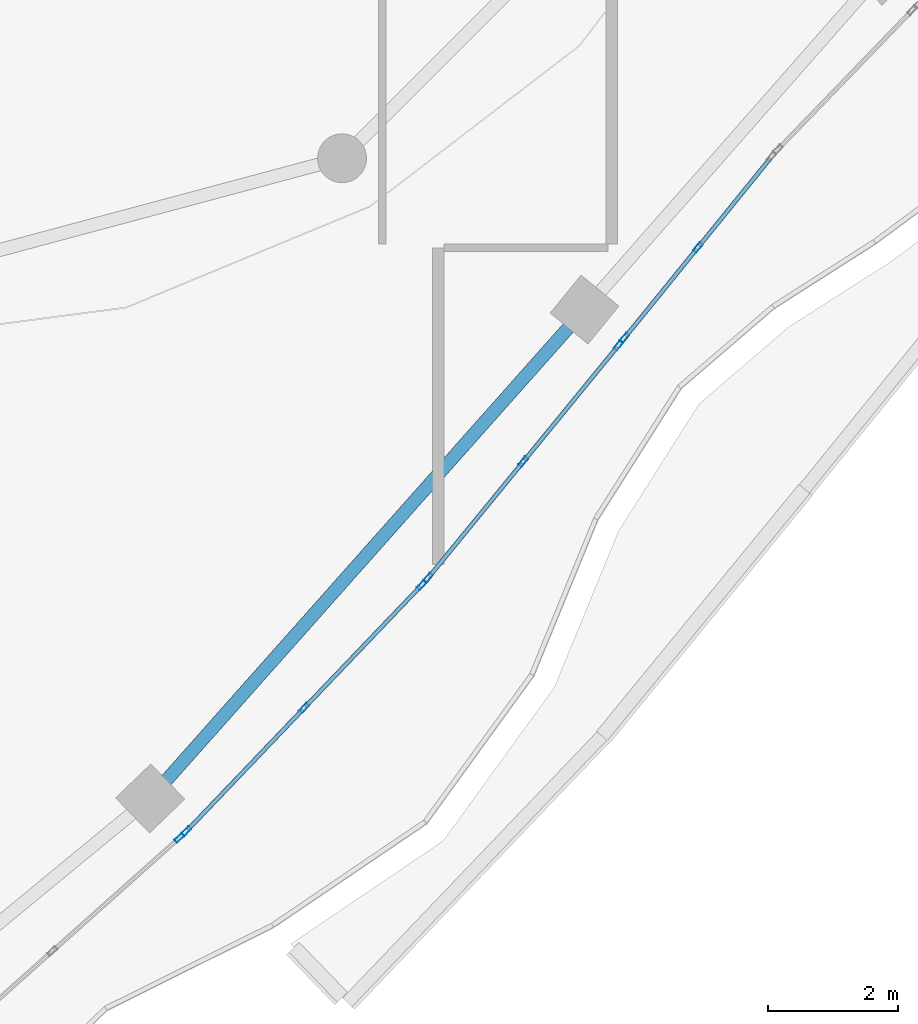
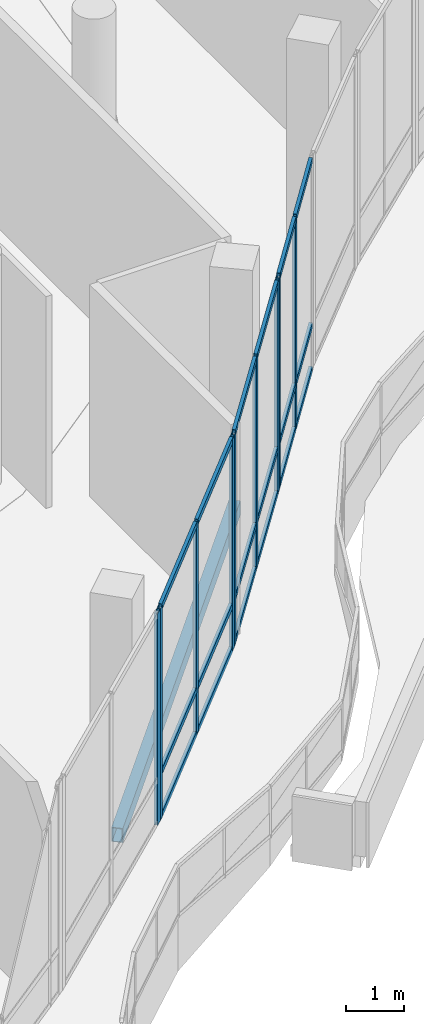
# One storey, part 52 of 168: 27 members, 1 beam, 4 elements without a shape of their own.
"""IFC4 building model written with IfcOpenShell, lengths in metres."""

from ifc_helpers import new_model, si_unit, direction, frame, origin, origin_2d, place, context, subcontext, project, spatial, hollow_rectangle, extrude, material, material_profile, profile_set, type_object, element, aggregate, save


model = new_model("IFC4")

# Units and contexts
model_context = context("Model", 3, precision=1e-05, world=origin(), true_north=direction((0.0, 1.0)))
body_context = subcontext(model_context, "Body", "Model", "MODEL_VIEW")
ifc_project = project(units=[si_unit("LENGTHUNIT", "METRE"), si_unit("AREAUNIT", "SQUARE_METRE"), si_unit("VOLUMEUNIT", "CUBIC_METRE"), si_unit("PLANEANGLEUNIT", "RADIAN"), si_unit("MASSUNIT", "GRAM", prefix="KILO")], contexts=[model_context])

# Site, building, storey
site_placement = place(None, origin())
site = spatial("IfcSite", under=ifc_project, at=site_placement, CompositionType="ELEMENT")
building_placement = place(site_placement, origin())
building = spatial("IfcBuilding", under=site, at=building_placement, Name="Selatvlak General Hospital", CompositionType="ELEMENT")
storey_placement = place(building_placement, frame((0.0, 0.0, 5.39990234375)))
storey = spatial("IfcBuildingStorey", under=building, at=storey_placement, Name="L01", CompositionType="ELEMENT", Elevation=5.39990234375)

# Beam
ifc_material_1 = material(Name="Steel S355", Category="steel")
ifc_material_profile_1 = material_profile(ifc_material_1, hollow_rectangle(XDim=0.199951171875, YDim=0.300048828125, WallThickness=0.011962890625, at=origin_2d()), Name="RHS 300x200x12")
ifc_profile_set_1 = profile_set([ifc_material_profile_1], Name="Steel S355")
beam_type = type_object("IfcBeamType", Name="BM-SP3", PredefinedType="SPANDREL", material=ifc_profile_set_1)
beam_placement = place(storey_placement, frame((102.383056640625, 31.4970703125, -0.469970703125), z_axis=(0.664193048636, 0.747561097265, 0.0), x_axis=(-0.747561097265, 0.664193048636, 0.0)))
element("IfcBeam", 1, at=beam_placement, inside=storey, type_object=beam_type, Name="Beam BMR-L01-0758", PredefinedType="SPANDREL", context=body_context, shape_type="SweptSolid", body=[
    extrude(hollow_rectangle(XDim=0.199951171875, YDim=0.300048828125, WallThickness=0.011962890625, at=origin_2d()), origin(), (0.0, 0.0, 1.0), 10.027099609375),
])

# Curtain wall, members
ifc_material_2 = material(Name="Solar-control Low-E double glazing", Category="glass")
curtain_wall_type_1 = type_object("IfcCurtainWallType", Name="CW-CW-01", PredefinedType="USERDEFINED", material=ifc_material_2)
curtain_wall_1_placement = place(storey_placement, origin())
curtain_wall_1 = element("IfcCurtainWall", 2, at=curtain_wall_1_placement, inside=storey, type_object=curtain_wall_type_1, Name="Glazed facade curtain wall CW-L01-0163", ObjectType="UNITISED CURTAIN WALL", PredefinedType="USERDEFINED")
ifc_material_3 = material(Name="Dark anodised aluminium mullion", Category="aluminium")
ifc_material_profile_2 = material_profile(ifc_material_3, hollow_rectangle(XDim=0.06494140625, YDim=0.159912109375, WallThickness=0.00390625, at=origin_2d()), Name="AL-MUL 65x160x4")
ifc_profile_set_2 = profile_set([ifc_material_profile_2], Name="Dark anodised aluminium mullion")
member_type_1 = type_object("IfcMemberType", Name="CWM-01", PredefinedType="MULLION", material=ifc_profile_set_2)
member_1_placement = place(storey_placement, frame((110.781494140625, 39.945556640625, 0.0), z_axis=(0.0, 0.0, 1.0), x_axis=(0.776323804924, -0.630334315986, 0.0)))
member_1 = element("IfcMember", 3, at=member_1_placement, type_object=member_type_1, Name="CW-01 mullion 2", PredefinedType="MULLION", context=body_context, shape_type="SweptSolid", body=[
    extrude(hollow_rectangle(XDim=0.06494140625, YDim=0.159912109375, WallThickness=0.00390625, at=origin_2d()), origin(), (0.0, 0.0, 1.0), 4.445068359375),
])
member_2_placement = place(storey_placement, frame((109.653564453125, 38.55615234375, 0.0), z_axis=(0.0, 0.0, 1.0), x_axis=(0.776323804924, -0.630334315986, 0.0)))
member_2 = element("IfcMember", 4, at=member_2_placement, type_object=member_type_1, Name="CW-01 mullion 3", PredefinedType="MULLION", context=body_context, shape_type="SweptSolid", body=[
    extrude(hollow_rectangle(XDim=0.06494140625, YDim=0.159912109375, WallThickness=0.00390625, at=origin_2d()), origin(), (0.0, 0.0, 1.0), 4.445068359375),
])

curtain_wall_type_2 = type_object("IfcCurtainWallType", Name="CW-CW-02", PredefinedType="USERDEFINED", material=ifc_material_2)
curtain_wall_2_placement = place(storey_placement, origin())
curtain_wall_2 = element("IfcCurtainWall", 5, at=curtain_wall_2_placement, inside=storey, type_object=curtain_wall_type_2, Name="Glazed facade curtain wall CW-L01-0164", ObjectType="UNITISED CURTAIN WALL", PredefinedType="USERDEFINED")
member_3_placement = place(storey_placement, frame((109.5625, 38.44287109375, 0.0), z_axis=(0.0, 0.0, 1.0), x_axis=(0.773785702976, -0.633447461018, 0.0)))
member_3 = element("IfcMember", 6, at=member_3_placement, type_object=member_type_1, Name="CW-02 mullion 1", PredefinedType="MULLION", context=body_context, shape_type="SweptSolid", body=[
    extrude(hollow_rectangle(XDim=0.06494140625, YDim=0.159912109375, WallThickness=0.00390625, at=origin_2d()), origin(), (0.0, 0.0, 1.0), 4.445068359375),
])
member_4_placement = place(storey_placement, frame((108.1025390625, 36.659423828125, 0.0), z_axis=(0.0, 0.0, 1.0), x_axis=(0.773785702976, -0.633447461018, 0.0)))
member_4 = element("IfcMember", 7, at=member_4_placement, type_object=member_type_1, Name="CW-02 mullion 2", PredefinedType="MULLION", context=body_context, shape_type="SweptSolid", body=[
    extrude(hollow_rectangle(XDim=0.06494140625, YDim=0.159912109375, WallThickness=0.00390625, at=origin_2d()), origin(), (0.0, 0.0, 1.0), 4.445068359375),
])
member_5_placement = place(storey_placement, frame((106.642578125, 34.876220703125, 0.0), z_axis=(0.0, 0.0, 1.0), x_axis=(0.773785702976, -0.633447461018, 0.0)))
member_5 = element("IfcMember", 8, at=member_5_placement, type_object=member_type_1, Name="CW-02 mullion 3", PredefinedType="MULLION", context=body_context, shape_type="SweptSolid", body=[
    extrude(hollow_rectangle(XDim=0.06494140625, YDim=0.159912109375, WallThickness=0.00390625, at=origin_2d()), origin(), (0.0, 0.0, 1.0), 4.445068359375),
])

curtain_wall_3_placement = place(storey_placement, origin())
curtain_wall_3 = element("IfcCurtainWall", 9, at=curtain_wall_3_placement, inside=storey, type_object=curtain_wall_type_1, Name="Glazed facade curtain wall CW-L01-0165", ObjectType="UNITISED CURTAIN WALL", PredefinedType="USERDEFINED")
member_6_placement = place(storey_placement, frame((106.545654296875, 34.7685546875, 0.0), z_axis=(0.0, 0.0, 1.0), x_axis=(0.722908808256, -0.690943452785, 0.0)))
member_6 = element("IfcMember", 10, at=member_6_placement, type_object=member_type_1, Name="CW-01 mullion 1", PredefinedType="MULLION", context=body_context, shape_type="SweptSolid", body=[
    extrude(hollow_rectangle(XDim=0.06494140625, YDim=0.159912109375, WallThickness=0.00390625, at=origin_2d()), origin(), (0.0, 0.0, 1.0), 4.445068359375),
])
member_7_placement = place(storey_placement, frame((104.741455078125, 32.881103515625, 0.0), z_axis=(0.0, 0.0, 1.0), x_axis=(0.722908808256, -0.690943452785, 0.0)))
member_7 = element("IfcMember", 11, at=member_7_placement, type_object=member_type_1, Name="CW-01 mullion 2", PredefinedType="MULLION", context=body_context, shape_type="SweptSolid", body=[
    extrude(hollow_rectangle(XDim=0.06494140625, YDim=0.159912109375, WallThickness=0.00390625, at=origin_2d()), origin(), (0.0, 0.0, 1.0), 4.445068359375),
])
member_8_placement = place(storey_placement, frame((102.9375, 30.993408203125, 0.0), z_axis=(0.0, 0.0, 1.0), x_axis=(0.722908808256, -0.690943452785, 0.0)))
member_8 = element("IfcMember", 12, at=member_8_placement, type_object=member_type_1, Name="CW-01 mullion 3", PredefinedType="MULLION", context=body_context, shape_type="SweptSolid", body=[
    extrude(hollow_rectangle(XDim=0.06494140625, YDim=0.159912109375, WallThickness=0.00390625, at=origin_2d()), origin(), (0.0, 0.0, 1.0), 4.445068359375),
])

# Curtain wall, member
curtain_wall_4_placement = place(storey_placement, origin())
curtain_wall_4 = element("IfcCurtainWall", 13, at=curtain_wall_4_placement, inside=storey, type_object=curtain_wall_type_2, Name="Glazed facade curtain wall CW-L01-0166", ObjectType="UNITISED CURTAIN WALL", PredefinedType="USERDEFINED")
member_9_placement = place(storey_placement, frame((102.832763671875, 30.894287109375, 0.0), z_axis=(0.0, 0.0, 1.0), x_axis=(0.665560736735, -0.746343691417, 0.0)))
member_9 = element("IfcMember", 14, at=member_9_placement, type_object=member_type_1, Name="CW-02 mullion 1", PredefinedType="MULLION", context=body_context, shape_type="SweptSolid", body=[
    extrude(hollow_rectangle(XDim=0.06494140625, YDim=0.159912109375, WallThickness=0.00390625, at=origin_2d()), origin(), (0.0, 0.0, 1.0), 4.445068359375),
])
aggregate(curtain_wall_4, [member_9])

# Member
ifc_material_profile_3 = material_profile(ifc_material_3, hollow_rectangle(XDim=0.06494140625, YDim=0.1201171875, WallThickness=0.00390625, at=origin_2d()), Name="AL-TRN 65x120x4")
ifc_profile_set_3 = profile_set([ifc_material_profile_3], Name="Dark anodised aluminium mullion")
member_type_2 = type_object("IfcMemberType", Name="CWT-01", PredefinedType="USERDEFINED", material=ifc_profile_set_3)
member_10_placement = place(storey_placement, frame((111.888916015625, 41.3095703125, 0.03271484375), z_axis=(-0.630272788322, -0.776373758122, 0.0), x_axis=(0.776373758122, -0.630272788322, 0.0)))
member_10 = element("IfcMember", 15, at=member_10_placement, type_object=member_type_2, Name="CW-01 transom 1.1", ObjectType="TRANSOM", PredefinedType="USERDEFINED", context=body_context, shape_type="SweptSolid", body=[
    extrude(hollow_rectangle(XDim=0.06494140625, YDim=0.1201171875, WallThickness=0.00390625, at=origin_2d()), origin(), (0.0, 0.0, 1.0), 1.724609375),
])

member_11_placement = place(storey_placement, frame((111.888916015625, 41.3095703125, 0.9501953125), z_axis=(-0.630272788322, -0.776373758122, 0.0), x_axis=(0.776373758122, -0.630272788322, 0.0)))
member_11 = element("IfcMember", 16, at=member_11_placement, type_object=member_type_2, Name="CW-01 transom 1.2", ObjectType="TRANSOM", PredefinedType="USERDEFINED", context=body_context, shape_type="SweptSolid", body=[
    extrude(hollow_rectangle(XDim=0.06494140625, YDim=0.1201171875, WallThickness=0.00390625, at=origin_2d()), origin(), (0.0, 0.0, 1.0), 1.724609375),
])

member_12_placement = place(storey_placement, frame((111.888916015625, 41.3095703125, 4.41259765625), z_axis=(-0.630272788322, -0.776373758122, 0.0), x_axis=(0.776373758122, -0.630272788322, 0.0)))
member_12 = element("IfcMember", 17, at=member_12_placement, type_object=member_type_2, Name="CW-01 transom 1.3", ObjectType="TRANSOM", PredefinedType="USERDEFINED", context=body_context, shape_type="SweptSolid", body=[
    extrude(hollow_rectangle(XDim=0.06494140625, YDim=0.1201171875, WallThickness=0.00390625, at=origin_2d()), origin(), (0.0, 0.0, 1.0), 1.724609375),
])

member_13_placement = place(storey_placement, frame((110.760986328125, 39.920166015625, 0.03271484375), z_axis=(-0.630342067833, -0.776317510765, 0.0), x_axis=(0.776317510765, -0.630342067833, 0.0)))
member_13 = element("IfcMember", 18, at=member_13_placement, type_object=member_type_2, Name="CW-01 transom 2.1", ObjectType="TRANSOM", PredefinedType="USERDEFINED", context=body_context, shape_type="SweptSolid", body=[
    extrude(hollow_rectangle(XDim=0.06494140625, YDim=0.1201171875, WallThickness=0.00390625, at=origin_2d()), origin(), (0.0, 0.0, 1.0), 1.724365234375),
])

member_14_placement = place(storey_placement, frame((110.760986328125, 39.920166015625, 0.9501953125), z_axis=(-0.630342067833, -0.776317510765, 0.0), x_axis=(0.776317510765, -0.630342067833, 0.0)))
member_14 = element("IfcMember", 19, at=member_14_placement, type_object=member_type_2, Name="CW-01 transom 2.2", ObjectType="TRANSOM", PredefinedType="USERDEFINED", context=body_context, shape_type="SweptSolid", body=[
    extrude(hollow_rectangle(XDim=0.06494140625, YDim=0.1201171875, WallThickness=0.00390625, at=origin_2d()), origin(), (0.0, 0.0, 1.0), 1.724365234375),
])

member_15_placement = place(storey_placement, frame((110.760986328125, 39.920166015625, 4.41259765625), z_axis=(-0.630342067833, -0.776317510765, 0.0), x_axis=(0.776317510765, -0.630342067833, 0.0)))
member_15 = element("IfcMember", 20, at=member_15_placement, type_object=member_type_2, Name="CW-01 transom 2.3", ObjectType="TRANSOM", PredefinedType="USERDEFINED", context=body_context, shape_type="SweptSolid", body=[
    extrude(hollow_rectangle(XDim=0.06494140625, YDim=0.1201171875, WallThickness=0.00390625, at=origin_2d()), origin(), (0.0, 0.0, 1.0), 1.724365234375),
])

aggregate(curtain_wall_1, [member_1, member_2, member_10, member_11, member_12, member_13, member_14, member_15])

member_16_placement = place(storey_placement, frame((109.541748046875, 38.417724609375, 0.03271484375), z_axis=(-0.633415847539, -0.773811581773, 0.0), x_axis=(0.773811581773, -0.633415847539, 0.0)))
member_16 = element("IfcMember", 21, at=member_16_placement, type_object=member_type_2, Name="CW-02 transom 1.1", ObjectType="TRANSOM", PredefinedType="USERDEFINED", context=body_context, shape_type="SweptSolid", body=[
    extrude(hollow_rectangle(XDim=0.06494140625, YDim=0.1201171875, WallThickness=0.00390625, at=origin_2d()), origin(), (0.0, 0.0, 1.0), 2.23974609375),
])

member_17_placement = place(storey_placement, frame((109.541748046875, 38.417724609375, 0.9501953125), z_axis=(-0.633415847539, -0.773811581773, 0.0), x_axis=(0.773811581773, -0.633415847539, 0.0)))
member_17 = element("IfcMember", 22, at=member_17_placement, type_object=member_type_2, Name="CW-02 transom 1.2", ObjectType="TRANSOM", PredefinedType="USERDEFINED", context=body_context, shape_type="SweptSolid", body=[
    extrude(hollow_rectangle(XDim=0.06494140625, YDim=0.1201171875, WallThickness=0.00390625, at=origin_2d()), origin(), (0.0, 0.0, 1.0), 2.23974609375),
])

member_18_placement = place(storey_placement, frame((109.541748046875, 38.417724609375, 4.41259765625), z_axis=(-0.633415847539, -0.773811581773, 0.0), x_axis=(0.773811581773, -0.633415847539, 0.0)))
member_18 = element("IfcMember", 23, at=member_18_placement, type_object=member_type_2, Name="CW-02 transom 1.3", ObjectType="TRANSOM", PredefinedType="USERDEFINED", context=body_context, shape_type="SweptSolid", body=[
    extrude(hollow_rectangle(XDim=0.06494140625, YDim=0.1201171875, WallThickness=0.00390625, at=origin_2d()), origin(), (0.0, 0.0, 1.0), 2.23974609375),
])

member_19_placement = place(storey_placement, frame((108.08203125, 36.63427734375, 0.03271484375), z_axis=(-0.633534538308, -0.773714410342, 0.0), x_axis=(0.773714410342, -0.633534538308, 0.0)))
member_19 = element("IfcMember", 24, at=member_19_placement, type_object=member_type_2, Name="CW-02 transom 2.1", ObjectType="TRANSOM", PredefinedType="USERDEFINED", context=body_context, shape_type="SweptSolid", body=[
    extrude(hollow_rectangle(XDim=0.06494140625, YDim=0.1201171875, WallThickness=0.00390625, at=origin_2d()), origin(), (0.0, 0.0, 1.0), 2.23974609375),
])

member_20_placement = place(storey_placement, frame((108.08203125, 36.63427734375, 0.9501953125), z_axis=(-0.633534538308, -0.773714410342, 0.0), x_axis=(0.773714410342, -0.633534538308, 0.0)))
member_20 = element("IfcMember", 25, at=member_20_placement, type_object=member_type_2, Name="CW-02 transom 2.2", ObjectType="TRANSOM", PredefinedType="USERDEFINED", context=body_context, shape_type="SweptSolid", body=[
    extrude(hollow_rectangle(XDim=0.06494140625, YDim=0.1201171875, WallThickness=0.00390625, at=origin_2d()), origin(), (0.0, 0.0, 1.0), 2.23974609375),
])

member_21_placement = place(storey_placement, frame((108.08203125, 36.63427734375, 4.41259765625), z_axis=(-0.633534538308, -0.773714410342, 0.0), x_axis=(0.773714410342, -0.633534538308, 0.0)))
member_21 = element("IfcMember", 26, at=member_21_placement, type_object=member_type_2, Name="CW-02 transom 2.3", ObjectType="TRANSOM", PredefinedType="USERDEFINED", context=body_context, shape_type="SweptSolid", body=[
    extrude(hollow_rectangle(XDim=0.06494140625, YDim=0.1201171875, WallThickness=0.00390625, at=origin_2d()), origin(), (0.0, 0.0, 1.0), 2.23974609375),
])

aggregate(curtain_wall_2, [member_3, member_4, member_5, member_16, member_17, member_18, member_19, member_20, member_21])

member_22_placement = place(storey_placement, frame((106.523193359375, 34.7451171875, 0.03271484375), z_axis=(-0.690961349091, -0.722891702859, 0.0), x_axis=(0.722891702859, -0.690961349091, 0.0)))
member_22 = element("IfcMember", 27, at=member_22_placement, type_object=member_type_2, Name="CW-01 transom 1.1", ObjectType="TRANSOM", PredefinedType="USERDEFINED", context=body_context, shape_type="SweptSolid", body=[
    extrude(hollow_rectangle(XDim=0.06494140625, YDim=0.1201171875, WallThickness=0.00390625, at=origin_2d()), origin(), (0.0, 0.0, 1.0), 2.546142578125),
])

member_23_placement = place(storey_placement, frame((106.523193359375, 34.7451171875, 0.9501953125), z_axis=(-0.690961349091, -0.722891702859, 0.0), x_axis=(0.722891702859, -0.690961349091, 0.0)))
member_23 = element("IfcMember", 28, at=member_23_placement, type_object=member_type_2, Name="CW-01 transom 1.2", ObjectType="TRANSOM", PredefinedType="USERDEFINED", context=body_context, shape_type="SweptSolid", body=[
    extrude(hollow_rectangle(XDim=0.06494140625, YDim=0.1201171875, WallThickness=0.00390625, at=origin_2d()), origin(), (0.0, 0.0, 1.0), 2.546142578125),
])

member_24_placement = place(storey_placement, frame((106.523193359375, 34.7451171875, 4.41259765625), z_axis=(-0.690961349091, -0.722891702859, 0.0), x_axis=(0.722891702859, -0.690961349091, 0.0)))
member_24 = element("IfcMember", 29, at=member_24_placement, type_object=member_type_2, Name="CW-01 transom 1.3", ObjectType="TRANSOM", PredefinedType="USERDEFINED", context=body_context, shape_type="SweptSolid", body=[
    extrude(hollow_rectangle(XDim=0.06494140625, YDim=0.1201171875, WallThickness=0.00390625, at=origin_2d()), origin(), (0.0, 0.0, 1.0), 2.546142578125),
])

member_25_placement = place(storey_placement, frame((104.718994140625, 32.857421875, 0.03271484375), z_axis=(-0.690959135507, -0.722893818661, 0.0), x_axis=(0.722893818661, -0.690959135507, 0.0)))
member_25 = element("IfcMember", 30, at=member_25_placement, type_object=member_type_2, Name="CW-01 transom 2.1", ObjectType="TRANSOM", PredefinedType="USERDEFINED", context=body_context, shape_type="SweptSolid", body=[
    extrude(hollow_rectangle(XDim=0.06494140625, YDim=0.1201171875, WallThickness=0.00390625, at=origin_2d()), origin(), (0.0, 0.0, 1.0), 2.5458984375),
])

member_26_placement = place(storey_placement, frame((104.718994140625, 32.857421875, 0.9501953125), z_axis=(-0.690959135507, -0.722893818661, 0.0), x_axis=(0.722893818661, -0.690959135507, 0.0)))
member_26 = element("IfcMember", 31, at=member_26_placement, type_object=member_type_2, Name="CW-01 transom 2.2", ObjectType="TRANSOM", PredefinedType="USERDEFINED", context=body_context, shape_type="SweptSolid", body=[
    extrude(hollow_rectangle(XDim=0.06494140625, YDim=0.1201171875, WallThickness=0.00390625, at=origin_2d()), origin(), (0.0, 0.0, 1.0), 2.5458984375),
])

member_27_placement = place(storey_placement, frame((104.718994140625, 32.857421875, 4.41259765625), z_axis=(-0.690959135507, -0.722893818661, 0.0), x_axis=(0.722893818661, -0.690959135507, 0.0)))
member_27 = element("IfcMember", 32, at=member_27_placement, type_object=member_type_2, Name="CW-01 transom 2.3", ObjectType="TRANSOM", PredefinedType="USERDEFINED", context=body_context, shape_type="SweptSolid", body=[
    extrude(hollow_rectangle(XDim=0.06494140625, YDim=0.1201171875, WallThickness=0.00390625, at=origin_2d()), origin(), (0.0, 0.0, 1.0), 2.5458984375),
])

aggregate(curtain_wall_3, [member_6, member_7, member_8, member_22, member_23, member_24, member_25, member_26, member_27])

save(model, "model.ifc")
